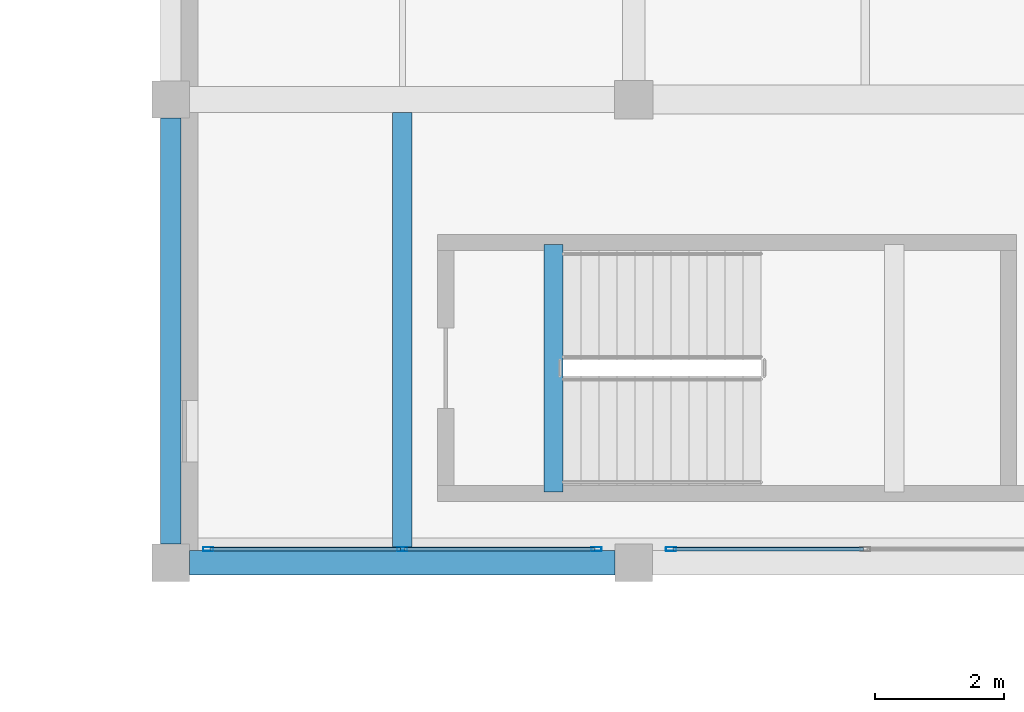
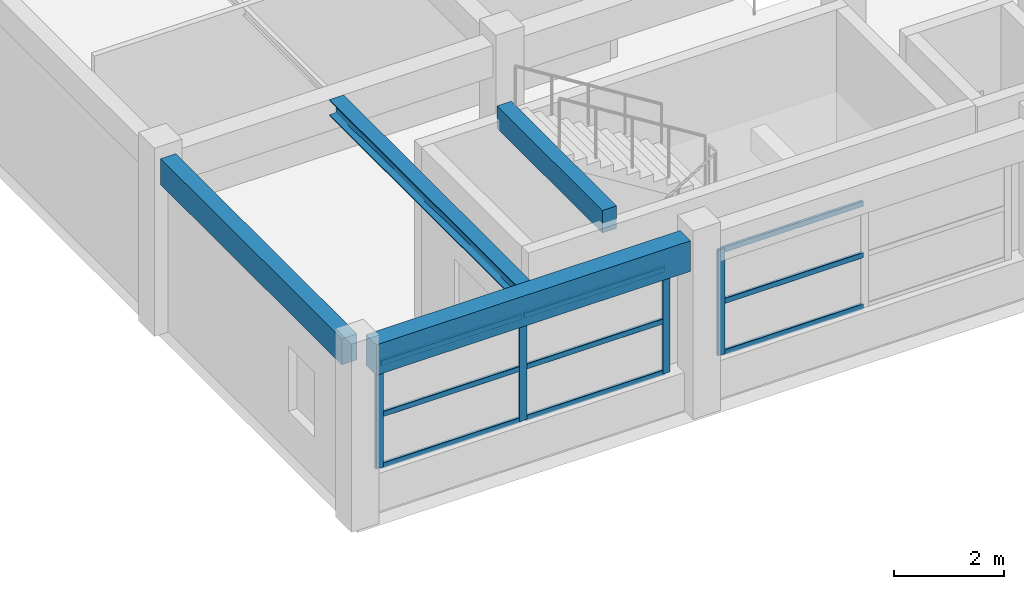
# One storey, part 8 of 49: 13 members, 4 beams, 2 elements without a shape of their own.
"""IFC4 building model written with IfcOpenShell, lengths in metres."""

from ifc_helpers import new_model, si_unit, direction, frame, origin, origin_2d, place, context, subcontext, project, spatial, rectangle, hollow_rectangle, i_section, extrude, material, material_profile, profile_set, type_object, element, aggregate, save


model = new_model("IFC4")

# Units and contexts
model_context = context("Model", 3, precision=1e-05, world=origin(), true_north=direction((0.0, 1.0)))
body_context = subcontext(model_context, "Body", "Model", "MODEL_VIEW")
ifc_project = project(units=[si_unit("LENGTHUNIT", "METRE"), si_unit("AREAUNIT", "SQUARE_METRE"), si_unit("VOLUMEUNIT", "CUBIC_METRE"), si_unit("PLANEANGLEUNIT", "RADIAN"), si_unit("MASSUNIT", "GRAM", prefix="KILO")], contexts=[model_context])

# Site, building, storey
site_placement = place(None, origin())
site = spatial("IfcSite", under=ifc_project, at=site_placement, CompositionType="ELEMENT")
building_placement = place(site_placement, origin())
building = spatial("IfcBuilding", under=site, at=building_placement, Name="Bramveld Media Centre", CompositionType="ELEMENT")
storey_placement = place(building_placement, frame((0.0, 0.0, 9.60009765625)))
storey = spatial("IfcBuildingStorey", under=building, at=storey_placement, Name="L02", CompositionType="ELEMENT", Elevation=9.60009765625)

# Beam
ifc_material_1 = material(Name="Concrete C40/50", Category="concrete")
ifc_material_profile_1 = material_profile(ifc_material_1, rectangle(XDim=0.300048828125, YDim=0.5, at=origin_2d()), Name="RC 300x500")
ifc_profile_set_1 = profile_set([ifc_material_profile_1], Name="Concrete C40/50")
beam_type_1 = type_object("IfcBeamType", Name="BM-INT-RC-300x500", PredefinedType="BEAM", material=ifc_profile_set_1)
beam_1_placement = place(storey_placement, frame((71.550048828125, 91.5, 3.949951171875), z_axis=(0.0, 1.0, 0.0), x_axis=(-1.0, 0.0, 0.0)))
element("IfcBeam", 1, at=beam_1_placement, inside=storey, type_object=beam_type_1, Name="ST-07 L03 stairwell landing trimmer beam", PredefinedType="BEAM", context=body_context, shape_type="SweptSolid", body=[
    extrude(rectangle(XDim=0.300048828125, YDim=0.5, at=origin_2d()), origin(), (0.0, 0.0, 1.0), 3.85009765625),
])

# Curtain wall, members
ifc_material_2 = material(Name="Thermally broken anodized bronze aluminium unitized curtain wall with solar-control triple glazing", Category="aluminium")
curtain_wall_type = type_object("IfcCurtainWallType", Name="CW-FACV6-6100x2350", PredefinedType="NOTDEFINED", material=ifc_material_2)
curtain_wall_1_placement = place(storey_placement, origin())
curtain_wall_1 = element("IfcCurtainWall", 2, at=curtain_wall_1_placement, inside=storey, type_object=curtain_wall_type, Name="V6 L02 S curtain wall bay 1", PredefinedType="NOTDEFINED")
ifc_material_3 = material(Name="Thermally broken anodized bronze aluminium EN AW-6063 T6 curtain-wall framing", Category="aluminium")
ifc_material_profile_2 = material_profile(ifc_material_3, hollow_rectangle(XDim=0.06005859375, YDim=0.159912109375, WallThickness=0.00390625, InnerFilletRadius=0.00390625, OuterFilletRadius=0.008056640625, at=origin_2d()), Name="AL-MULL 60x160")
ifc_profile_set_2 = profile_set([ifc_material_profile_2], Name="Thermally broken anodized bronze aluminium EN AW-6063 T6 curtain-wall framing")
member_type_1 = type_object("IfcMemberType", Name="CW-MULL-EXT", PredefinedType="MULLION", material=ifc_profile_set_2)
member_1_placement = place(storey_placement, frame((66.179931640625, 90.610107421875, 0.849853515625), z_axis=(0.0, 0.0, 1.0), x_axis=(0.0, 1.0, 0.0)))
member_1 = element("IfcMember", 3, at=member_1_placement, type_object=member_type_1, Name="CW-FA-6123 mullion 1", PredefinedType="MULLION", context=body_context, shape_type="SweptSolid", body=[
    extrude(hollow_rectangle(XDim=0.06005859375, YDim=0.159912109375, WallThickness=0.00390625, InnerFilletRadius=0.00390625, OuterFilletRadius=0.008056640625, at=origin_2d()), origin(), (0.0, 0.0, 1.0), 2.35009765625),
])
member_2_placement = place(storey_placement, frame((69.199951171875, 90.610107421875, 0.849853515625), z_axis=(0.0, 0.0, 1.0), x_axis=(0.0, 1.0, 0.0)))
member_2 = element("IfcMember", 4, at=member_2_placement, type_object=member_type_1, Name="CW-FA-6123 mullion 2", PredefinedType="MULLION", context=body_context, shape_type="SweptSolid", body=[
    extrude(hollow_rectangle(XDim=0.06005859375, YDim=0.159912109375, WallThickness=0.00390625, InnerFilletRadius=0.00390625, OuterFilletRadius=0.008056640625, at=origin_2d()), origin(), (0.0, 0.0, 1.0), 2.35009765625),
])
member_3_placement = place(storey_placement, frame((72.219970703125, 90.610107421875, 0.849853515625), z_axis=(0.0, 0.0, 1.0), x_axis=(0.0, 1.0, 0.0)))
member_3 = element("IfcMember", 5, at=member_3_placement, type_object=member_type_1, Name="CW-FA-6123 mullion 3", PredefinedType="MULLION", context=body_context, shape_type="SweptSolid", body=[
    extrude(hollow_rectangle(XDim=0.06005859375, YDim=0.159912109375, WallThickness=0.00390625, InnerFilletRadius=0.00390625, OuterFilletRadius=0.008056640625, at=origin_2d()), origin(), (0.0, 0.0, 1.0), 2.35009765625),
])

# Curtain wall, member
curtain_wall_2_placement = place(storey_placement, origin())
curtain_wall_2 = element("IfcCurtainWall", 6, at=curtain_wall_2_placement, inside=storey, type_object=curtain_wall_type, Name="V6 L02 S curtain wall bay 2", PredefinedType="NOTDEFINED")
member_4_placement = place(storey_placement, frame((73.3798828125, 90.610107421875, 0.849853515625), z_axis=(0.0, 0.0, 1.0), x_axis=(0.0, 1.0, 0.0)))
member_4 = element("IfcMember", 7, at=member_4_placement, type_object=member_type_1, Name="CW-FA-6123 mullion 1", PredefinedType="MULLION", context=body_context, shape_type="SweptSolid", body=[
    extrude(hollow_rectangle(XDim=0.06005859375, YDim=0.159912109375, WallThickness=0.00390625, InnerFilletRadius=0.00390625, OuterFilletRadius=0.008056640625, at=origin_2d()), origin(), (0.0, 0.0, 1.0), 2.35009765625),
])

# Member
ifc_material_4 = material(Name="Thermally broken anodized bronze aluminium EN AW-6063 T6 curtain-wall framing", Category="aluminium")
ifc_material_profile_3 = material_profile(ifc_material_4, hollow_rectangle(XDim=0.06005859375, YDim=0.1201171875, WallThickness=0.00341796875, InnerFilletRadius=0.00341796875, OuterFilletRadius=0.007080078125, at=origin_2d()), Name="AL-TRAN 60x120")
ifc_profile_set_3 = profile_set([ifc_material_profile_3], Name="Thermally broken anodized bronze aluminium EN AW-6063 T6 curtain-wall framing")
member_type_2 = type_object("IfcMemberType", Name="CW-TRAN-EXT", PredefinedType="USERDEFINED", material=ifc_profile_set_3)
member_5_placement = place(storey_placement, frame((66.2099609375, 90.610107421875, 0.8798828125), z_axis=(1.0, 0.0, 0.0), x_axis=(0.0, 1.0, 0.0)))
member_5 = element("IfcMember", 8, at=member_5_placement, type_object=member_type_2, Name="CW-FA-6123 transom 1.1", ObjectType="TRANSOM", PredefinedType="USERDEFINED", context=body_context, shape_type="SweptSolid", body=[
    extrude(hollow_rectangle(XDim=0.06005859375, YDim=0.1201171875, WallThickness=0.00341796875, InnerFilletRadius=0.00341796875, OuterFilletRadius=0.007080078125, at=origin_2d()), origin(), (0.0, 0.0, 1.0), 2.9599609375),
])

member_6_placement = place(storey_placement, frame((66.2099609375, 90.610107421875, 2.02490234375), z_axis=(1.0, 0.0, 0.0), x_axis=(0.0, 1.0, 0.0)))
member_6 = element("IfcMember", 9, at=member_6_placement, type_object=member_type_2, Name="CW-FA-6123 transom 1.2", ObjectType="TRANSOM", PredefinedType="USERDEFINED", context=body_context, shape_type="SweptSolid", body=[
    extrude(hollow_rectangle(XDim=0.06005859375, YDim=0.1201171875, WallThickness=0.00341796875, InnerFilletRadius=0.00341796875, OuterFilletRadius=0.007080078125, at=origin_2d()), origin(), (0.0, 0.0, 1.0), 2.9599609375),
])

member_7_placement = place(storey_placement, frame((66.2099609375, 90.610107421875, 3.169921875), z_axis=(1.0, 0.0, 0.0), x_axis=(0.0, 1.0, 0.0)))
member_7 = element("IfcMember", 10, at=member_7_placement, type_object=member_type_2, Name="CW-FA-6123 transom 1.3", ObjectType="TRANSOM", PredefinedType="USERDEFINED", context=body_context, shape_type="SweptSolid", body=[
    extrude(hollow_rectangle(XDim=0.06005859375, YDim=0.1201171875, WallThickness=0.00341796875, InnerFilletRadius=0.00341796875, OuterFilletRadius=0.007080078125, at=origin_2d()), origin(), (0.0, 0.0, 1.0), 2.9599609375),
])

member_8_placement = place(storey_placement, frame((69.22998046875, 90.610107421875, 0.8798828125), z_axis=(1.0, 0.0, 0.0), x_axis=(0.0, 1.0, 0.0)))
member_8 = element("IfcMember", 11, at=member_8_placement, type_object=member_type_2, Name="CW-FA-6123 transom 2.1", ObjectType="TRANSOM", PredefinedType="USERDEFINED", context=body_context, shape_type="SweptSolid", body=[
    extrude(hollow_rectangle(XDim=0.06005859375, YDim=0.1201171875, WallThickness=0.00341796875, InnerFilletRadius=0.00341796875, OuterFilletRadius=0.007080078125, at=origin_2d()), origin(), (0.0, 0.0, 1.0), 2.9599609375),
])

member_9_placement = place(storey_placement, frame((69.22998046875, 90.610107421875, 2.02490234375), z_axis=(1.0, 0.0, 0.0), x_axis=(0.0, 1.0, 0.0)))
member_9 = element("IfcMember", 12, at=member_9_placement, type_object=member_type_2, Name="CW-FA-6123 transom 2.2", ObjectType="TRANSOM", PredefinedType="USERDEFINED", context=body_context, shape_type="SweptSolid", body=[
    extrude(hollow_rectangle(XDim=0.06005859375, YDim=0.1201171875, WallThickness=0.00341796875, InnerFilletRadius=0.00341796875, OuterFilletRadius=0.007080078125, at=origin_2d()), origin(), (0.0, 0.0, 1.0), 2.9599609375),
])

member_10_placement = place(storey_placement, frame((69.22998046875, 90.610107421875, 3.169921875), z_axis=(1.0, 0.0, 0.0), x_axis=(0.0, 1.0, 0.0)))
member_10 = element("IfcMember", 13, at=member_10_placement, type_object=member_type_2, Name="CW-FA-6123 transom 2.3", ObjectType="TRANSOM", PredefinedType="USERDEFINED", context=body_context, shape_type="SweptSolid", body=[
    extrude(hollow_rectangle(XDim=0.06005859375, YDim=0.1201171875, WallThickness=0.00341796875, InnerFilletRadius=0.00341796875, OuterFilletRadius=0.007080078125, at=origin_2d()), origin(), (0.0, 0.0, 1.0), 2.9599609375),
])

aggregate(curtain_wall_1, [member_1, member_2, member_3, member_5, member_6, member_7, member_8, member_9, member_10])

member_11_placement = place(storey_placement, frame((73.409912109375, 90.610107421875, 0.8798828125), z_axis=(1.0, 0.0, 0.0), x_axis=(0.0, 1.0, 0.0)))
member_11 = element("IfcMember", 14, at=member_11_placement, type_object=member_type_2, Name="CW-FA-6123 transom 1.1", ObjectType="TRANSOM", PredefinedType="USERDEFINED", context=body_context, shape_type="SweptSolid", body=[
    extrude(hollow_rectangle(XDim=0.06005859375, YDim=0.1201171875, WallThickness=0.00341796875, InnerFilletRadius=0.00341796875, OuterFilletRadius=0.007080078125, at=origin_2d()), origin(), (0.0, 0.0, 1.0), 2.960205078125),
])

member_12_placement = place(storey_placement, frame((73.409912109375, 90.610107421875, 2.02490234375), z_axis=(1.0, 0.0, 0.0), x_axis=(0.0, 1.0, 0.0)))
member_12 = element("IfcMember", 15, at=member_12_placement, type_object=member_type_2, Name="CW-FA-6123 transom 1.2", ObjectType="TRANSOM", PredefinedType="USERDEFINED", context=body_context, shape_type="SweptSolid", body=[
    extrude(hollow_rectangle(XDim=0.06005859375, YDim=0.1201171875, WallThickness=0.00341796875, InnerFilletRadius=0.00341796875, OuterFilletRadius=0.007080078125, at=origin_2d()), origin(), (0.0, 0.0, 1.0), 2.960205078125),
])

member_13_placement = place(storey_placement, frame((73.409912109375, 90.610107421875, 3.169921875), z_axis=(1.0, 0.0, 0.0), x_axis=(0.0, 1.0, 0.0)))
member_13 = element("IfcMember", 16, at=member_13_placement, type_object=member_type_2, Name="CW-FA-6123 transom 1.3", ObjectType="TRANSOM", PredefinedType="USERDEFINED", context=body_context, shape_type="SweptSolid", body=[
    extrude(hollow_rectangle(XDim=0.06005859375, YDim=0.1201171875, WallThickness=0.00341796875, InnerFilletRadius=0.00341796875, OuterFilletRadius=0.007080078125, at=origin_2d()), origin(), (0.0, 0.0, 1.0), 2.960205078125),
])

aggregate(curtain_wall_2, [member_4, member_11, member_12, member_13])

# Beams
ifc_material_5 = material(Name="Steel S355J2", Category="steel")
ifc_material_profile_4 = material_profile(ifc_material_5, i_section(OverallWidth=0.300048828125, OverallDepth=0.360107421875, WebThickness=0.012451171875, FlangeThickness=0.0224609375, FilletRadius=0.027099609375, at=origin_2d()), Name="HEB 360")
ifc_profile_set_4 = profile_set([ifc_material_profile_4], Name="Steel S355J2")
beam_type_2 = type_object("IfcBeamType", Name="SBM-INT-HEB-360", PredefinedType="BEAM", material=ifc_profile_set_4)
beam_2_placement = place(storey_placement, frame((69.199951171875, 90.590087890625, 3.739990234375), z_axis=(0.0, 1.0, 0.0), x_axis=(-1.0, 0.0, 0.0)))
element("IfcBeam", 17, at=beam_2_placement, inside=storey, type_object=beam_type_2, Name="V6 L02 secondary floor joist 1116", PredefinedType="BEAM", context=body_context, shape_type="SweptSolid", body=[
    extrude(i_section(OverallWidth=0.300048828125, OverallDepth=0.360107421875, WebThickness=0.012451171875, FlangeThickness=0.0224609375, FilletRadius=0.027099609375, at=origin_2d()), origin(), (0.0, 0.0, 1.0), 6.809814453125),
])
ifc_material_6 = material(Name="Concrete C40/50", Category="concrete")
ifc_material_profile_5 = material_profile(ifc_material_6, rectangle(XDim=0.320068359375, YDim=0.580078125, at=origin_2d()), Name="RC 320x580")
ifc_profile_set_5 = profile_set([ifc_material_profile_5], Name="Concrete C40/50")
beam_type_3 = type_object("IfcBeamType", Name="SPANDREL-EXT-RC-320x580", PredefinedType="SPANDREL", material=ifc_profile_set_5)
beam_3_placement = place(storey_placement, frame((65.60009765625, 90.68994140625, 3.6298828125), z_axis=(0.0, 1.0, 0.0), x_axis=(-1.0, 0.0, 0.0)))
element("IfcBeam", 18, at=beam_3_placement, inside=storey, type_object=beam_type_3, Name="V6 L02 girder Y-1092", PredefinedType="SPANDREL", context=body_context, shape_type="SweptSolid", body=[
    extrude(rectangle(XDim=0.320068359375, YDim=0.580078125, at=origin_2d()), origin(), (0.0, 0.0, 1.0), 6.6201171875),
])
ifc_material_7 = material(Name="Concrete C40/50", Category="concrete")
ifc_material_profile_6 = material_profile(ifc_material_7, rectangle(XDim=0.3798828125, YDim=0.679931640625, at=origin_2d()), Name="RC 380x680")
ifc_profile_set_6 = profile_set([ifc_material_profile_6], Name="Concrete C40/50")
beam_type_4 = type_object("IfcBeamType", Name="SPANDREL-EXT-RC-380x680", PredefinedType="SPANDREL", material=ifc_profile_set_6)
beam_4_placement = place(storey_placement, frame((65.889892578125, 90.39990234375, 3.579833984375), z_axis=(1.0, 0.0, 0.0), x_axis=(0.0, 1.0, 0.0)))
element("IfcBeam", 19, at=beam_4_placement, inside=storey, type_object=beam_type_4, Name="V6 L02 girder X-1064", PredefinedType="SPANDREL", context=body_context, shape_type="SweptSolid", body=[
    extrude(rectangle(XDim=0.3798828125, YDim=0.679931640625, at=origin_2d()), origin(), (0.0, 0.0, 1.0), 6.6201171875),
])

save(model, "model.ifc")
